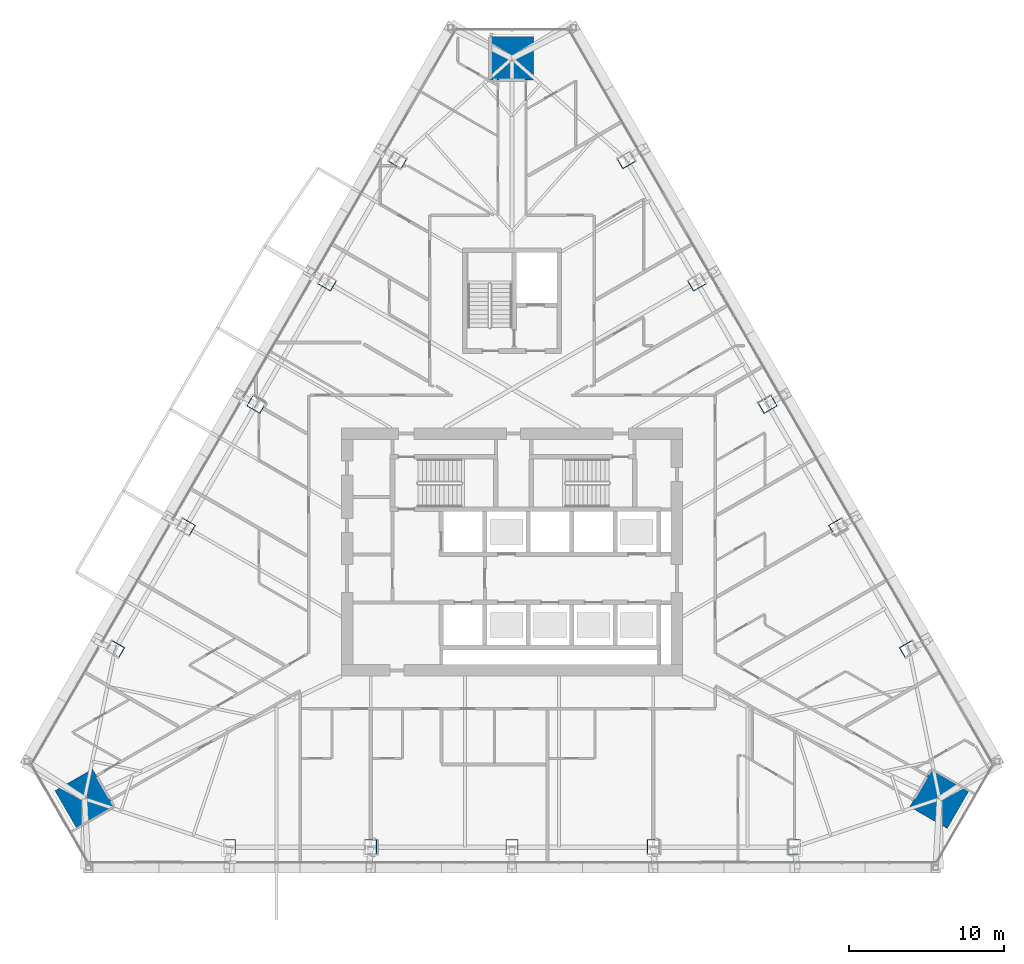
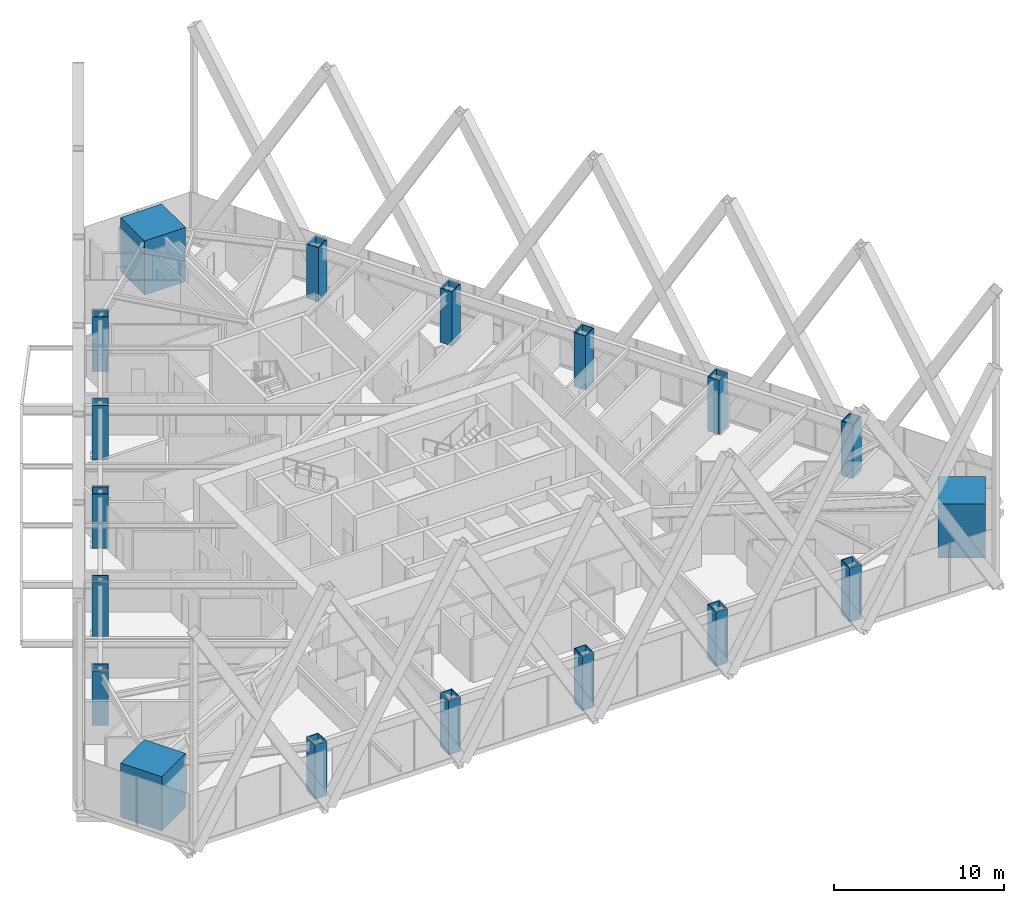
# One storey, part 1 of 26: 18 columns.
"""IFC4 building model written with IfcOpenShell, lengths in metres."""

from ifc_helpers import new_model, si_unit, direction, frame, origin, origin_2d, place, context, subcontext, project, spatial, rectangle, hollow_rectangle, extrude, material, material_profile, profile_set, type_object, element, save


model = new_model("IFC4")

# Units and contexts
model_context = context("Model", 3, precision=1e-05, world=origin(), true_north=direction((0.0, 1.0)))
body_context = subcontext(model_context, "Body", "Model", "MODEL_VIEW")
ifc_project = project(units=[si_unit("LENGTHUNIT", "METRE"), si_unit("AREAUNIT", "SQUARE_METRE"), si_unit("VOLUMEUNIT", "CUBIC_METRE"), si_unit("PLANEANGLEUNIT", "RADIAN"), si_unit("MASSUNIT", "GRAM", prefix="KILO")], contexts=[model_context])

# Site, building, storey
site_placement = place(None, origin())
site = spatial("IfcSite", under=ifc_project, at=site_placement, CompositionType="ELEMENT")
building_placement = place(site_placement, origin())
building = spatial("IfcBuilding", under=site, at=building_placement, Name="Firuza Gate Tower and Library", CompositionType="ELEMENT")
storey_placement = place(building_placement, frame((0.0, 0.0, 155.800048828125)))
storey = spatial("IfcBuildingStorey", under=building, at=storey_placement, Name="L35", CompositionType="ELEMENT", Elevation=155.800048828125)

# Columns
ifc_material_1 = material(Name="Steel S355", Category="steel")
ifc_material_profile_1 = material_profile(ifc_material_1, hollow_rectangle(XDim=0.800048828125, YDim=1.0, WallThickness=0.050048828125, at=origin_2d()))
ifc_profile_set_1 = profile_set([ifc_material_profile_1], Name="Steel S355")
column_type_1 = type_object("IfcColumnType", Name="BU1000x800x50 Composite box column", PredefinedType="COLUMN", material=ifc_profile_set_1)
for number, where, z_axis, x_axis, name in (
    (1, (56.800048828125, 55.9814453125, -0.00048828125), (0.0, 0.0, 1.0), (1.0, 0.0, 0.0), "Column S1 L35"),
    (2, (65.89990234375, 55.9814453125, -0.00048828125), (0.0, 0.0, 1.0), (1.0, 0.0, 0.0), "Column S2 L35"),
    (3, (75.0, 55.9814453125, -0.00048828125), (0.0, 0.0, 1.0), (1.0, 0.0, 0.0), "Column S3 L35"),
    (4, (84.10009765625, 55.9814453125, -0.00048828125), (0.0, 0.0, 1.0), (1.0, 0.0, 0.0), "Column S4 L35"),
    (5, (93.199951171875, 55.9814453125, -0.00048828125), (0.0, 0.0, 1.0), (1.0, 0.0, 0.0), "Column S5 L35"),
    (6, (100.570556640625, 68.74755859375, -0.00048828125), (0.0, 0.0, 1.0), (-0.5, 0.866025403784, 0.0), "Column E1 L35"),
    (7, (96.0205078125, 76.62841796875, -0.00048828125), (0.0, 0.0, 1.0), (-0.5, 0.866025403784, 0.0), "Column E2 L35"),
    (8, (91.470458984375, 84.50927734375, -0.00048828125), (0.0, 0.0, 1.0), (-0.5, 0.866025403784, 0.0), "Column E3 L35"),
    (9, (86.920654296875, 92.39013671875, -0.00048828125), (0.0, 0.0, 1.0), (-0.5, 0.866025403784, 0.0), "Column E4 L35"),
    (10, (82.37060546875, 100.27099609375, -0.00048828125), (0.0, 0.0, 1.0), (-0.5, 0.866025403784, 0.0), "Column E5 L35"),
    (11, (67.62939453125, 100.27099609375, -0.00048828125), (0.0, 0.0, 1.0), (-0.5, -0.866025403784, 0.0), "Column W1 L35"),
    (12, (63.079345703125, 92.39013671875, -0.00048828125), (0.0, 0.0, 1.0), (-0.5, -0.866025403784, 0.0), "Column W2 L35"),
    (13, (58.529541015625, 84.50927734375, -0.00048828125), (0.0, 0.0, 1.0), (-0.5, -0.866025403784, 0.0), "Column W3 L35"),
    (14, (53.9794921875, 76.62841796875, -0.00048828125), (0.0, 0.0, 1.0), (-0.5, -0.866025403784, 0.0), "Column W4 L35"),
    (15, (49.429443359375, 68.74755859375, -0.00048828125), (0.0, 0.0, 1.0), (-0.5, -0.866025403784, 0.0), "Column W5 L35"),
):
    element("IfcColumn", number, at=place(storey_placement, frame(where, z_axis=z_axis, x_axis=x_axis)), inside=storey, type_object=column_type_1, Name=name, PredefinedType="COLUMN", context=body_context, shape_type="SweptSolid", body=[
        extrude(hollow_rectangle(XDim=0.800048828125, YDim=1.0, WallThickness=0.050048828125, at=origin_2d()), origin(), (0.0, 0.0, 1.0), 3.900390625),
    ])
ifc_material_2 = material(Name="Concrete C80/95", Category="concrete")
ifc_material_profile_2 = material_profile(ifc_material_2, rectangle(XDim=2.800048828125, YDim=2.800048828125, at=origin_2d()))
ifc_profile_set_2 = profile_set([ifc_material_profile_2], Name="Concrete C80/95")
column_type_2 = type_object("IfcColumnType", Name="Mega column 2800x2800 C80/95", PredefinedType="COLUMN", material=ifc_profile_set_2)
for number, where, z_axis, x_axis, name in (
    (16, (102.541259765625, 59.09912109375, 0.0), (0.0, 0.0, 1.0), (0.5, 0.866025403784, 0.0), "Mega column SE L35"),
    (17, (75.0, 106.8017578125, 0.0), (0.0, 0.0, 1.0), (-1.0, 0.0, 0.0), "Mega column N L35"),
    (18, (47.458740234375, 59.09912109375, 0.0), (0.0, 0.0, 1.0), (0.5, -0.866025403784, 0.0), "Mega column SW L35"),
):
    element("IfcColumn", number, at=place(storey_placement, frame(where, z_axis=z_axis, x_axis=x_axis)), inside=storey, type_object=column_type_2, Name=name, PredefinedType="COLUMN", context=body_context, shape_type="SweptSolid", body=[
        extrude(rectangle(XDim=2.800048828125, YDim=2.800048828125, at=origin_2d()), origin(), (0.0, 0.0, 1.0), 3.89990234375),
    ])

save(model, "model.ifc")
